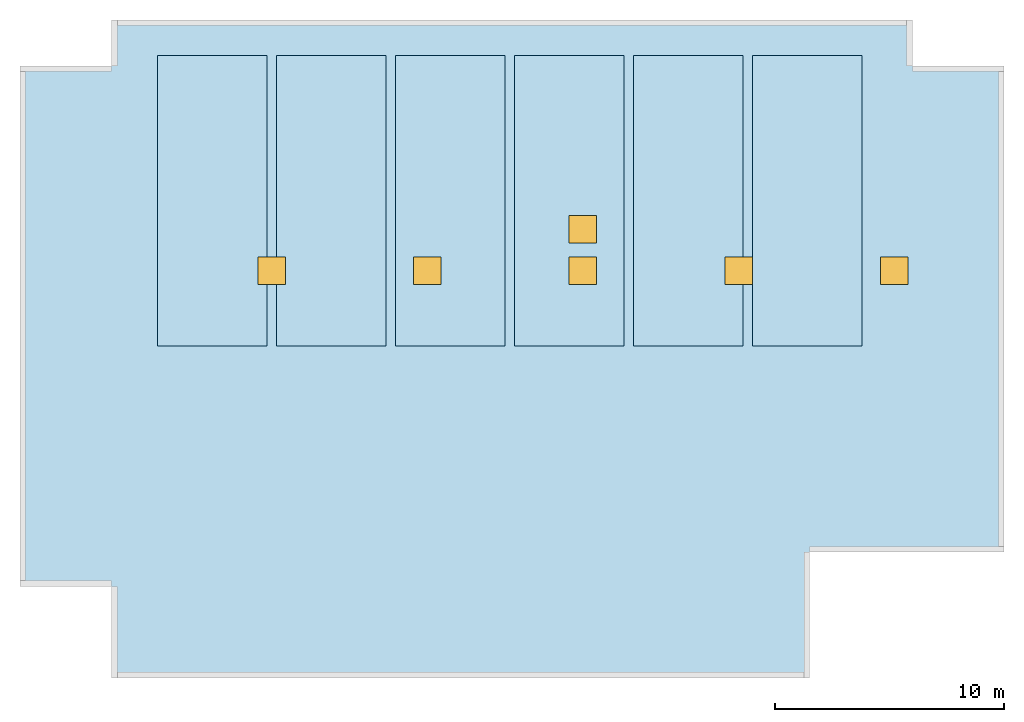
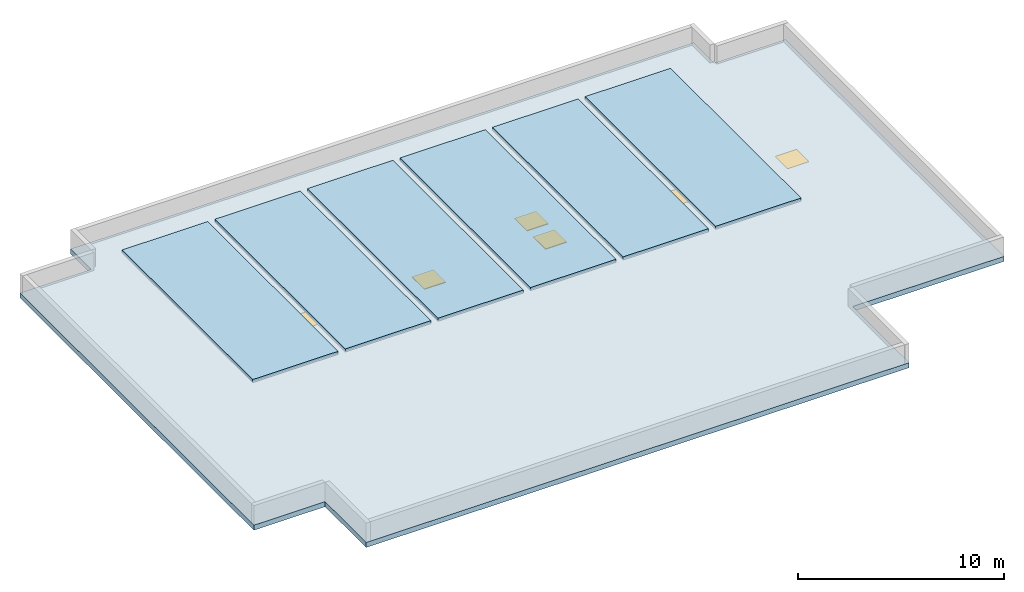
# One storey, part 1 of 2: 6 roofs, 6 windows, 1 slab, 6 openings.
"""IFC4 building model written with IfcOpenShell, lengths in metres."""

from ifc_helpers import new_model, si_unit, derived_unit, direction, frame, origin, origin_2d, place, context, subcontext, project, spatial, polyline, rectangle, outline, extrude, material, layer, layer_set, type_object, element, fill, save


model = new_model("IFC4")

# Units and contexts
model_context = context("Model", 3, precision=1e-05, world=origin(), true_north=direction((0.0, 1.0)))
body_context = subcontext(model_context, "Body", "Model", "MODEL_VIEW")
ifc_project = project(units=[si_unit("LENGTHUNIT", "METRE"), si_unit("AREAUNIT", "SQUARE_METRE"), si_unit("VOLUMEUNIT", "CUBIC_METRE"), si_unit("PLANEANGLEUNIT", "RADIAN"), si_unit("MASSUNIT", "GRAM", prefix="KILO"), derived_unit("THERMALTRANSMITTANCEUNIT", [(si_unit("POWERUNIT", "WATT"), 1), (si_unit("LENGTHUNIT", "METRE"), -2), (si_unit("THERMODYNAMICTEMPERATUREUNIT", "KELVIN"), -1)])], contexts=[model_context])

# Site, building, storey
site_placement = place(None, origin())
site = spatial("IfcSite", under=ifc_project, at=site_placement, CompositionType="ELEMENT")
building_placement = place(site_placement, origin())
building = spatial("IfcBuilding", under=site, at=building_placement, Name="Skarnbrae Concourse Arena and Tower", CompositionType="ELEMENT")
storey_placement = place(building_placement, frame((0.0, 0.0, 315.050048828125)))
storey = spatial("IfcBuildingStorey", under=building, at=storey_placement, Name="RF", CompositionType="ELEMENT", Elevation=315.050048828125)

# Slab, openings, windows
ifc_material_1 = material(Name="Concrete 40 MPa (C40/50)", Category="concrete")
ifc_layer_1 = layer(ifc_material_1, 0.300048828125)
ifc_layer_set_1 = layer_set([ifc_layer_1], Name="Concrete 40 MPa (C40/50)")
slab_type = type_object("IfcSlabType", Name="SLAB-ROOF-300", PredefinedType="ROOF", material=ifc_layer_set_1)
slab_placement = place(storey_placement, frame((0.0, 0.0, -0.300048828125)))
slab = element("IfcSlab", 1, at=slab_placement, inside=storey, type_object=slab_type, Name="RF Crown flat roof structural slab", PredefinedType="ROOF", context=body_context, shape_type="SweptSolid", body=[
    extrude(outline(polyline([(4.0, 0.0), (34.5, 0.0), (34.5, 5.5), (43.0, 5.5), (43.0, 26.75), (39.0, 26.75), (39.0, 28.75), (4.0, 28.75), (4.0, 26.75), (0.0, 26.75), (0.0, 4.0), (4.0, 4.0), (4.0, 0.0)])), origin(), (0.0, 0.0, 1.0), 0.300048828125),
])
opening_1_placement = place(slab_placement, frame((11.0, 17.800048828125, 0.0)))
opening_1 = element("IfcOpeningElement", 2, at=opening_1_placement, cuts=slab, Name="Opening HT-01", PredefinedType="OPENING", context=body_context, shape_type="SweptSolid", body=[
    extrude(rectangle(XDim=1.199951171875, YDim=1.199951171875, at=origin_2d()), frame((0.0, 0.0, -0.010009765625)), (0.0, 0.0, 1.0), 0.320068359375),
])
opening_2_placement = place(slab_placement, frame((17.800048828125, 17.800048828125, 0.0)))
opening_2 = element("IfcOpeningElement", 3, at=opening_2_placement, cuts=slab, Name="Opening HT-01", PredefinedType="OPENING", context=body_context, shape_type="SweptSolid", body=[
    extrude(rectangle(XDim=1.199951171875, YDim=1.199951171875, at=origin_2d()), frame((0.0, 0.0, -0.010009765625)), (0.0, 0.0, 1.0), 0.320068359375),
])
opening_3_placement = place(slab_placement, frame((24.60009765625, 17.800048828125, 0.0)))
opening_3 = element("IfcOpeningElement", 4, at=opening_3_placement, cuts=slab, Name="Opening HT-01", PredefinedType="OPENING", context=body_context, shape_type="SweptSolid", body=[
    extrude(rectangle(XDim=1.199951171875, YDim=1.199951171875, at=origin_2d()), frame((0.0, 0.0, -0.010009765625)), (0.0, 0.0, 1.0), 0.320068359375),
])
opening_4_placement = place(slab_placement, frame((31.39990234375, 17.800048828125, 0.0)))
opening_4 = element("IfcOpeningElement", 5, at=opening_4_placement, cuts=slab, Name="Opening HT-01", PredefinedType="OPENING", context=body_context, shape_type="SweptSolid", body=[
    extrude(rectangle(XDim=1.199951171875, YDim=1.199951171875, at=origin_2d()), frame((0.0, 0.0, -0.010009765625)), (0.0, 0.0, 1.0), 0.320068359375),
])
opening_5_placement = place(slab_placement, frame((38.199951171875, 17.800048828125, 0.0)))
opening_5 = element("IfcOpeningElement", 6, at=opening_5_placement, cuts=slab, Name="Opening HT-01", PredefinedType="OPENING", context=body_context, shape_type="SweptSolid", body=[
    extrude(rectangle(XDim=1.199951171875, YDim=1.199951171875, at=origin_2d()), frame((0.0, 0.0, -0.010009765625)), (0.0, 0.0, 1.0), 0.320068359375),
])
opening_6_placement = place(slab_placement, frame((24.60009765625, 19.60009765625, 0.0)))
opening_6 = element("IfcOpeningElement", 7, at=opening_6_placement, cuts=slab, Name="Opening HT-01", PredefinedType="OPENING", context=body_context, shape_type="SweptSolid", body=[
    extrude(rectangle(XDim=1.199951171875, YDim=1.199951171875, at=origin_2d()), frame((0.0, 0.0, -0.010009765625)), (0.0, 0.0, 1.0), 0.320068359375),
])
ifc_material_2 = material(Name="Insulated aluminium roof access hatch", Category="aluminium")
window_type = type_object("IfcWindowType", Name="WIN-HATCH-1200X1200", PartitioningType="SINGLE_PANEL", PredefinedType="SKYLIGHT", material=ifc_material_2)
window_1_placement = place(opening_1_placement, frame((0.0, 0.0, 0.25)))
window_1 = element("IfcWindow", 8, at=window_1_placement, inside=storey, type_object=window_type, Name="RF Roof access skylight hatch HT-01", OverallHeight=1.199951171875, OverallWidth=1.199951171875, PartitioningType="SINGLE_PANEL", PredefinedType="SKYLIGHT", context=body_context, shape_type="SweptSolid", body=[
    extrude(rectangle(XDim=1.199951171875, YDim=1.199951171875, at=origin_2d()), origin(), (0.0, 0.0, 1.0), 0.050048828125),
])
fill(opening_1, window_1)
window_2_placement = place(opening_2_placement, frame((0.0, 0.0, 0.25)))
window_2 = element("IfcWindow", 9, at=window_2_placement, inside=storey, type_object=window_type, Name="RF Roof access skylight hatch HT-02", OverallHeight=1.199951171875, OverallWidth=1.199951171875, PartitioningType="SINGLE_PANEL", PredefinedType="SKYLIGHT", context=body_context, shape_type="SweptSolid", body=[
    extrude(rectangle(XDim=1.199951171875, YDim=1.199951171875, at=origin_2d()), origin(), (0.0, 0.0, 1.0), 0.050048828125),
])
fill(opening_2, window_2)
window_3_placement = place(opening_3_placement, frame((0.0, 0.0, 0.25)))
window_3 = element("IfcWindow", 10, at=window_3_placement, inside=storey, type_object=window_type, Name="RF Roof access skylight hatch HT-03", OverallHeight=1.199951171875, OverallWidth=1.199951171875, PartitioningType="SINGLE_PANEL", PredefinedType="SKYLIGHT", context=body_context, shape_type="SweptSolid", body=[
    extrude(rectangle(XDim=1.199951171875, YDim=1.199951171875, at=origin_2d()), origin(), (0.0, 0.0, 1.0), 0.050048828125),
])
fill(opening_3, window_3)
window_4_placement = place(opening_4_placement, frame((0.0, 0.0, 0.25)))
window_4 = element("IfcWindow", 11, at=window_4_placement, inside=storey, type_object=window_type, Name="RF Roof access skylight hatch HT-04", OverallHeight=1.199951171875, OverallWidth=1.199951171875, PartitioningType="SINGLE_PANEL", PredefinedType="SKYLIGHT", context=body_context, shape_type="SweptSolid", body=[
    extrude(rectangle(XDim=1.199951171875, YDim=1.199951171875, at=origin_2d()), origin(), (0.0, 0.0, 1.0), 0.050048828125),
])
fill(opening_4, window_4)
window_5_placement = place(opening_5_placement, frame((0.0, 0.0, 0.25)))
window_5 = element("IfcWindow", 12, at=window_5_placement, inside=storey, type_object=window_type, Name="RF Roof access skylight hatch HT-05", OverallHeight=1.199951171875, OverallWidth=1.199951171875, PartitioningType="SINGLE_PANEL", PredefinedType="SKYLIGHT", context=body_context, shape_type="SweptSolid", body=[
    extrude(rectangle(XDim=1.199951171875, YDim=1.199951171875, at=origin_2d()), origin(), (0.0, 0.0, 1.0), 0.050048828125),
])
fill(opening_5, window_5)
window_6_placement = place(opening_6_placement, frame((0.0, 0.0, 0.25)))
window_6 = element("IfcWindow", 13, at=window_6_placement, inside=storey, type_object=window_type, Name="RF Roof access skylight hatch HT-06", OverallHeight=1.199951171875, OverallWidth=1.199951171875, PartitioningType="SINGLE_PANEL", PredefinedType="SKYLIGHT", context=body_context, shape_type="SweptSolid", body=[
    extrude(rectangle(XDim=1.199951171875, YDim=1.199951171875, at=origin_2d()), origin(), (0.0, 0.0, 1.0), 0.050048828125),
])
fill(opening_6, window_6)

# Roofs
ifc_material_3 = material(Name="EPDM insulated roof deck assembly", Category="other")
ifc_layer_2 = layer(ifc_material_3, 0.179931640625)
ifc_layer_set_2 = layer_set([ifc_layer_2], Name="EPDM insulated roof deck assembly")
roof_type = type_object("IfcRoofType", Name="ROOF-DECK-ASSY", PredefinedType="FLAT_ROOF", material=ifc_layer_set_2)
roof_1_placement = place(storey_placement, origin())
element("IfcRoof", 14, at=roof_1_placement, inside=storey, type_object=roof_type, Name="RF Crown insulated flat roof assembly 01", PredefinedType="FLAT_ROOF", context=body_context, shape_type="SweptSolid", body=[
    extrude(outline(polyline([(6.0, 14.5), (10.800048828125, 14.5), (10.800048828125, 27.199951171875), (6.0, 27.199951171875), (6.0, 14.5)])), origin(), (0.0, 0.0, 1.0), 0.179931640625),
])
roof_2_placement = place(storey_placement, origin())
element("IfcRoof", 15, at=roof_2_placement, inside=storey, type_object=roof_type, Name="RF Crown insulated flat roof assembly 02", PredefinedType="FLAT_ROOF", context=body_context, shape_type="SweptSolid", body=[
    extrude(outline(polyline([(11.199951171875, 14.5), (16.0, 14.5), (16.0, 27.199951171875), (11.199951171875, 27.199951171875), (11.199951171875, 14.5)])), origin(), (0.0, 0.0, 1.0), 0.179931640625),
])
roof_3_placement = place(storey_placement, origin())
element("IfcRoof", 16, at=roof_3_placement, inside=storey, type_object=roof_type, Name="RF Crown insulated flat roof assembly 03", PredefinedType="FLAT_ROOF", context=body_context, shape_type="SweptSolid", body=[
    extrude(outline(polyline([(16.39990234375, 14.5), (21.199951171875, 14.5), (21.199951171875, 27.199951171875), (16.39990234375, 27.199951171875), (16.39990234375, 14.5)])), origin(), (0.0, 0.0, 1.0), 0.179931640625),
])
roof_4_placement = place(storey_placement, origin())
element("IfcRoof", 17, at=roof_4_placement, inside=storey, type_object=roof_type, Name="RF Crown insulated flat roof assembly 04", PredefinedType="FLAT_ROOF", context=body_context, shape_type="SweptSolid", body=[
    extrude(outline(polyline([(21.60009765625, 14.5), (26.39990234375, 14.5), (26.39990234375, 27.199951171875), (21.60009765625, 27.199951171875), (21.60009765625, 14.5)])), origin(), (0.0, 0.0, 1.0), 0.179931640625),
])
roof_5_placement = place(storey_placement, origin())
element("IfcRoof", 18, at=roof_5_placement, inside=storey, type_object=roof_type, Name="RF Crown insulated flat roof assembly 05", PredefinedType="FLAT_ROOF", context=body_context, shape_type="SweptSolid", body=[
    extrude(outline(polyline([(26.800048828125, 14.5), (31.60009765625, 14.5), (31.60009765625, 27.199951171875), (26.800048828125, 27.199951171875), (26.800048828125, 14.5)])), origin(), (0.0, 0.0, 1.0), 0.179931640625),
])
roof_6_placement = place(storey_placement, origin())
element("IfcRoof", 19, at=roof_6_placement, inside=storey, type_object=roof_type, Name="RF Crown insulated flat roof assembly 06", PredefinedType="FLAT_ROOF", context=body_context, shape_type="SweptSolid", body=[
    extrude(outline(polyline([(32.0, 14.5), (36.800048828125, 14.5), (36.800048828125, 27.199951171875), (32.0, 27.199951171875), (32.0, 14.5)])), origin(), (0.0, 0.0, 1.0), 0.179931640625),
])

save(model, "model.ifc")
